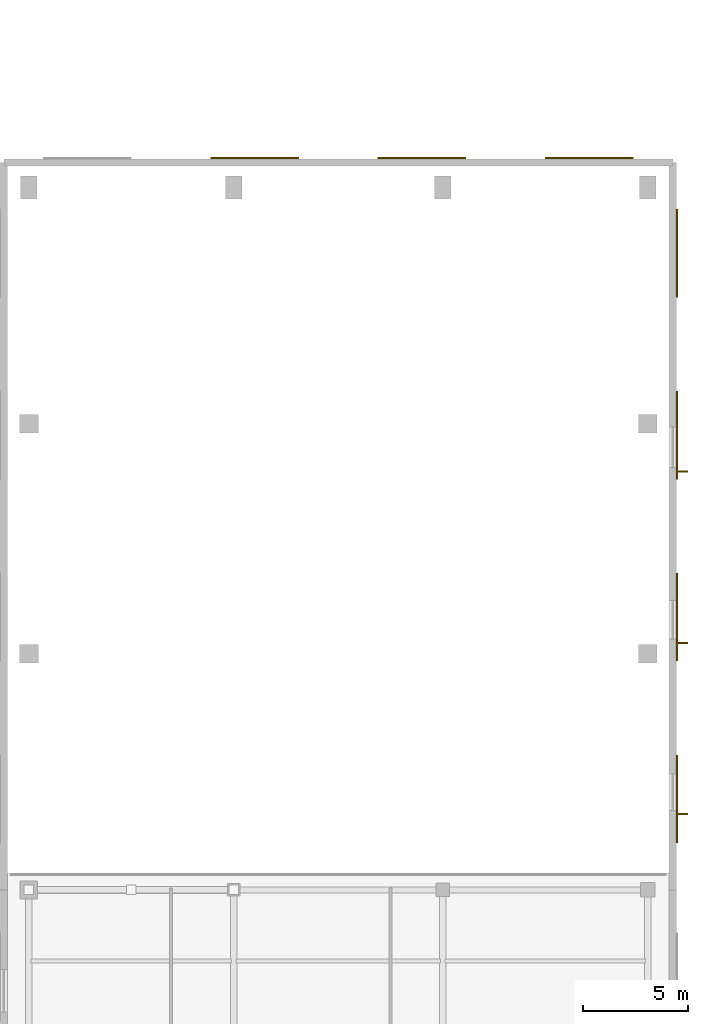
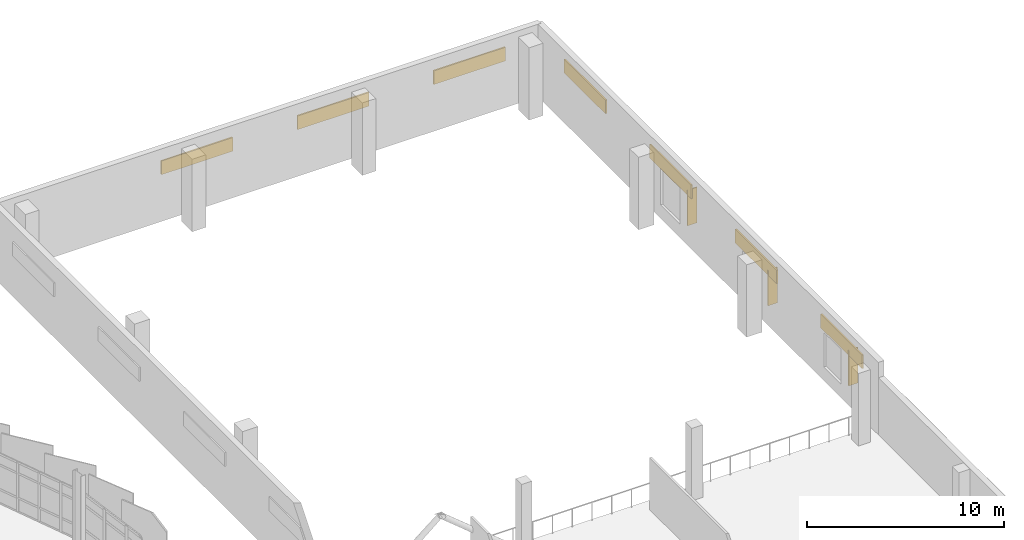
# One storey, part 125 of 125: 7 coverings, 3 shading devices.
"""IFC4 building model written with IfcOpenShell, lengths in metres."""

from ifc_helpers import new_model, si_unit, direction, frame, origin, origin_2d, place, context, subcontext, project, spatial, rectangle, extrude, material, layer, layer_set, type_object, element, save


model = new_model("IFC4")

# Units and contexts
model_context = context("Model", 3, precision=1e-05, world=origin(), true_north=direction((0.0, 1.0)))
body_context = subcontext(model_context, "Body", "Model", "MODEL_VIEW")
ifc_project = project(units=[si_unit("LENGTHUNIT", "METRE"), si_unit("AREAUNIT", "SQUARE_METRE"), si_unit("VOLUMEUNIT", "CUBIC_METRE"), si_unit("PLANEANGLEUNIT", "RADIAN"), si_unit("MASSUNIT", "GRAM", prefix="KILO")], contexts=[model_context])

# Site, building, storey
site_placement = place(None, origin())
site = spatial("IfcSite", under=ifc_project, at=site_placement, CompositionType="ELEMENT")
building_placement = place(site_placement, origin())
building = spatial("IfcBuilding", under=site, at=building_placement, Name="Sohan Crest Arena", CompositionType="ELEMENT")
storey_placement = place(building_placement, frame((0.0, 0.0, 9.0)))
storey = spatial("IfcBuildingStorey", under=building, at=storey_placement, Name="L02", CompositionType="ELEMENT", Elevation=9.0)

# Shading devices
ifc_material_1 = material(Name="Glazed terracotta ceramic solar fin", Category="masonry")
ifc_layer_1 = layer(ifc_material_1, 0.070068359375, Name="Glazed terracotta ceramic solar fin")
ifc_layer_set_1 = layer_set([ifc_layer_1], Name="Glazed terracotta ceramic solar fin")
shading_device_type = type_object("IfcShadingDeviceType", Name="ARC-SHD-FIN1", PredefinedType="USERDEFINED", material=ifc_layer_set_1)
for number, where, z_axis, x_axis, name in (
    (1, (227.43505859375, 80.820068359375, 0.75), (0.0, 0.0, 1.0), (0.0, 1.0, 0.0), "Solar shading fin FIN-020"),
    (2, (227.43505859375, 89.02001953125, 0.75), (0.0, 0.0, 1.0), (0.0, 1.0, 0.0), "Solar shading fin FIN-021"),
    (3, (227.43505859375, 97.219970703125, 0.75), (0.0, 0.0, 1.0), (0.0, 1.0, 0.0), "Solar shading fin FIN-022"),
):
    element("IfcShadingDevice", number, at=place(storey_placement, frame(where, z_axis=z_axis, x_axis=x_axis)), inside=storey, type_object=shading_device_type, Name=name, ObjectType="FIN", PredefinedType="USERDEFINED", context=body_context, shape_type="SweptSolid", body=[
        extrude(rectangle(XDim=0.070068359375, YDim=0.550048828125, at=origin_2d()), origin(), (0.0, 0.0, 1.0), 2.199951171875),
    ])

# Coverings
ifc_material_2 = material(Name="Honed dark basalt stone cladding", Category="masonry")
ifc_layer_2 = layer(ifc_material_2, 0.0849609375, Name="Honed dark basalt stone cladding")
ifc_layer_set_2 = layer_set([ifc_layer_2], Name="Honed dark basalt stone cladding")
covering_type = type_object("IfcCoveringType", Name="COV-BAS", PredefinedType="CLADDING", material=ifc_layer_set_2)
for number, where, z_axis, x_axis, name in (
    (4, (227.20703125, 81.550048828125, 2.625), (0.0, 0.0, 1.0), (0.0, 1.0, 0.0), "Dark basalt facade panel DB-0821"),
    (5, (227.20703125, 90.25, 2.625), (0.0, 0.0, 1.0), (0.0, 1.0, 0.0), "Dark basalt facade panel DB-0822"),
    (6, (227.20703125, 98.949951171875, 2.625), (0.0, 0.0, 1.0), (0.0, 1.0, 0.0), "Dark basalt facade panel DB-0823"),
    (7, (227.20703125, 107.64990234375, 2.625), (0.0, 0.0, 1.0), (0.0, 1.0, 0.0), "Dark basalt facade panel DB-0824"),
    (8, (223.0, 112.20703125, 2.625), (0.0, 0.0, 1.0), (-1.0, 0.0, 0.0), "Dark basalt facade panel DB-0825"),
    (9, (215.0, 112.20703125, 2.625), (0.0, 0.0, 1.0), (-1.0, 0.0, 0.0), "Dark basalt facade panel DB-0826"),
    (10, (207.0, 112.20703125, 2.625), (0.0, 0.0, 1.0), (-1.0, 0.0, 0.0), "Dark basalt facade panel DB-0827"),
):
    element("IfcCovering", number, at=place(storey_placement, frame(where, z_axis=z_axis, x_axis=x_axis)), inside=storey, type_object=covering_type, Name=name, PredefinedType="CLADDING", context=body_context, shape_type="SweptSolid", body=[
        extrude(rectangle(XDim=4.199951171875, YDim=0.0849609375, at=origin_2d()), origin(), (0.0, 0.0, 1.0), 0.85009765625),
    ])

save(model, "model.ifc")
